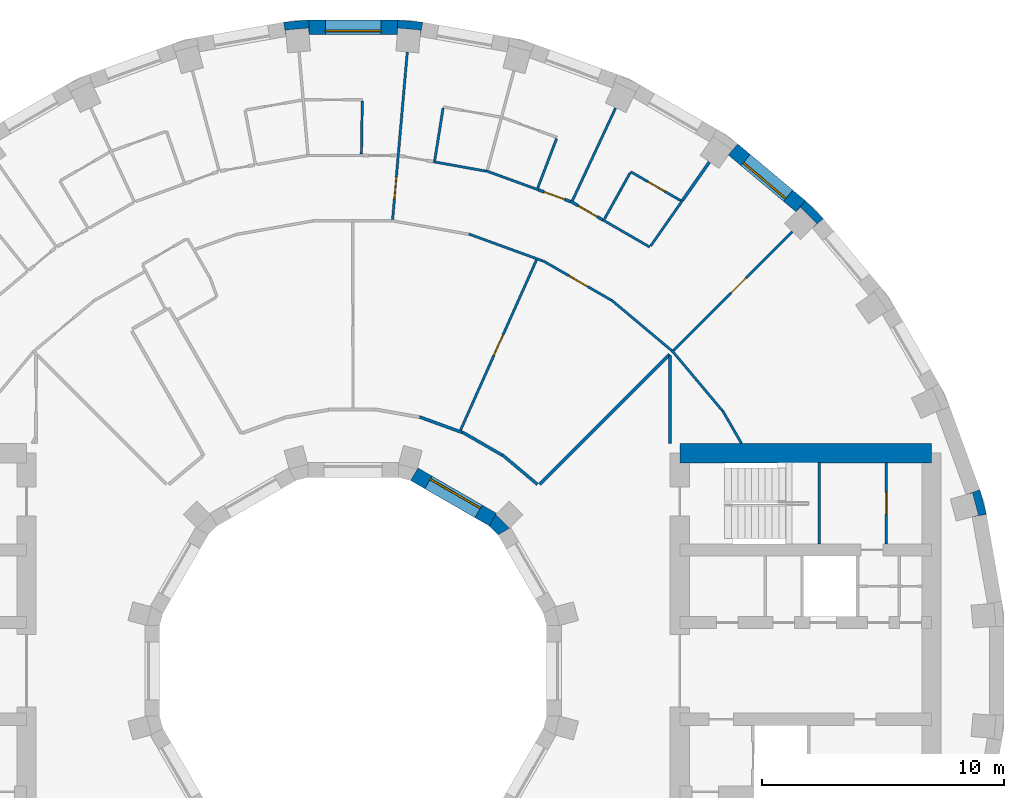
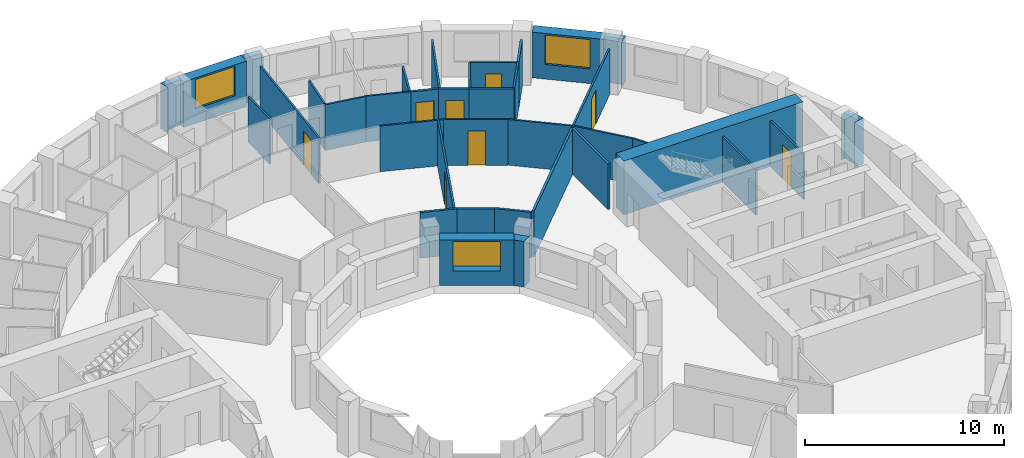
# One storey, part 10 of 12: 37 walls, 8 doors, 3 windows, 11 openings.
"""IFC4 building model written with IfcOpenShell, lengths in metres."""

from ifc_helpers import new_model, si_unit, direction, frame, frame_2d, origin, place, context, subcontext, project, spatial, polyline, rectangle, outline, extrude, material, layer, layer_set, type_object, element, fill, save


model = new_model("IFC4")

# Units and contexts
model_context = context("Model", 3, precision=1e-05, world=origin(), true_north=direction((0.0, 1.0)))
body_context = subcontext(model_context, "Body", "Model", "MODEL_VIEW")
ifc_project = project(units=[si_unit("LENGTHUNIT", "METRE"), si_unit("AREAUNIT", "SQUARE_METRE"), si_unit("VOLUMEUNIT", "CUBIC_METRE"), si_unit("PLANEANGLEUNIT", "RADIAN"), si_unit("MASSUNIT", "GRAM", prefix="KILO")], contexts=[model_context])

# Site, building, storey
site_placement = place(None, origin())
site = spatial("IfcSite", under=ifc_project, at=site_placement, CompositionType="ELEMENT")
building_placement = place(site_placement, origin())
building = spatial("IfcBuilding", under=site, at=building_placement, Name="Saqina Gate Tower", CompositionType="ELEMENT")
storey_placement = place(building_placement, frame((0.0, 0.0, 115.0)))
storey = spatial("IfcBuildingStorey", under=building, at=storey_placement, Name="L32", CompositionType="ELEMENT", Elevation=115.0)

# Walls
ifc_material_1 = material(Name="Brick masonry (buff)", Category="masonry")
wall_type_1 = type_object("IfcWallType", Name="BRICK PIER COPING BUFF", PredefinedType="SOLIDWALL", material=ifc_material_1)
wall_1_placement = place(storey_placement, origin())
element("IfcWall", 1, at=wall_1_placement, inside=storey, type_object=wall_type_1, Name="Pier cap L32 column 2", PredefinedType="SOLIDWALL", context=body_context, shape_type="SweptSolid", body=[
    extrude(outline(polyline([(26.171875, 6.466796875), (25.89892578125, 7.485595703125), (25.335205078125, 7.2802734375), (25.5947265625, 7.349853515625), (25.8408203125, 6.43212890625), (25.5810546875, 6.36279296875), (26.171875, 6.466796875)])), origin(), (0.0, 0.0, 1.0), 2.800048828125),
])
wall_2_placement = place(storey_placement, origin())
element("IfcWall", 2, at=wall_2_placement, inside=storey, type_object=wall_type_1, Name="Pier cap L32 column 5", PredefinedType="SOLIDWALL", context=body_context, shape_type="SweptSolid", body=[
    extrude(outline(polyline([(19.43212890625, 18.686279296875), (18.686279296875, 19.43212890625), (18.30078125, 18.972412109375), (18.49072265625, 19.16259765625), (19.16259765625, 18.49072265625), (18.972412109375, 18.30078125), (19.43212890625, 18.686279296875)])), origin(), (0.0, 0.0, 1.0), 2.800048828125),
])
wall_3_placement = place(storey_placement, origin())
element("IfcWall", 3, at=wall_3_placement, inside=storey, type_object=wall_type_1, Name="Pier cap L32 column 9", PredefinedType="SOLIDWALL", context=body_context, shape_type="SweptSolid", body=[
    extrude(outline(polyline([(2.87451171875, 26.805419921875), (1.823974609375, 26.897216796875), (1.823974609375, 26.29736328125), (1.847412109375, 26.565185546875), (2.793701171875, 26.482421875), (2.770263671875, 26.214599609375), (2.87451171875, 26.805419921875)])), origin(), (0.0, 0.0, 1.0), 2.800048828125),
])
wall_4_placement = place(storey_placement, origin())
element("IfcWall", 4, at=wall_4_placement, inside=storey, type_object=wall_type_1, Name="Pier cap L32 column 10", PredefinedType="SOLIDWALL", context=body_context, shape_type="SweptSolid", body=[
    extrude(outline(polyline([(-2.87451171875, 26.805419921875), (-2.770263671875, 26.214599609375), (-2.793701171875, 26.482421875), (-1.847412109375, 26.565185546875), (-1.823974609375, 26.29736328125), (-1.823974609375, 26.897216796875), (-2.87451171875, 26.805419921875)])), origin(), (0.0, 0.0, 1.0), 2.800048828125),
])

# Wall, opening, door
ifc_material_2 = material(Name="Gypsum board on steel studs", Category="steel")
ifc_layer_1 = layer(ifc_material_2, 0.10009765625)
ifc_layer_set_1 = layer_set([ifc_layer_1], Name="CORE PARTITION")
wall_type_2 = type_object("IfcWallType", Name="CORE PARTITION", PredefinedType="PARTITIONING", material=ifc_layer_set_1)
wall_5_placement = place(storey_placement, frame((22.037109375, 5.25, 0.0), z_axis=(0.0, 0.0, 1.0), x_axis=(0.0, 1.0, 0.0)))
wall_5 = element("IfcWall", 5, at=wall_5_placement, inside=storey, type_object=wall_type_2, Name="L32-CP-E11", PredefinedType="PARTITIONING", context=body_context, shape_type="SweptSolid", body=[
    extrude(rectangle(XDim=3.35009765625, YDim=0.10009765625, at=frame_2d((1.675048828125, 0.0))), origin(), (0.0, 0.0, 1.0), 2.800048828125),
])
opening_1_placement = place(wall_5_placement, frame((1.22509765625, 0.0, 0.0)))
opening_1 = element("IfcOpeningElement", 6, at=opening_1_placement, cuts=wall_5, Name="Opening G09-D98", PredefinedType="OPENING", context=body_context, shape_type="SweptSolid", body=[
    extrude(rectangle(XDim=0.89990234375, YDim=2.10009765625, at=frame_2d((0.449951171875, 1.050048828125))), frame((0.0, 0.06201171875, 0.0), z_axis=(0.0, -1.0, 0.0), x_axis=(1.0, 0.0, 0.0)), (0.0, 0.0, 1.0), 0.1240234375),
])
ifc_material_3 = material(Name="Steel-framed fire door leaf, EI 60", Category="steel")
door_type_1 = type_object("IfcDoorType", Name="SERVICE ROOM DOOR 900", OperationType="SINGLE_SWING_LEFT", PredefinedType="DOOR", material=ifc_material_3)
door_1_placement = place(opening_1_placement, origin())
door_1 = element("IfcDoor", 7, at=door_1_placement, inside=storey, type_object=door_type_1, Name="L32-CD-E09", OperationType="SINGLE_SWING_RIGHT", OverallHeight=2.10009765625, OverallWidth=0.89990234375, PredefinedType="DOOR", context=body_context, shape_type="SweptSolid", body=[
    extrude(rectangle(XDim=0.89990234375, YDim=2.10009765625, at=frame_2d((0.449951171875, 1.050048828125))), frame((0.0, 0.02490234375, 0.0), z_axis=(0.0, -1.0, 0.0), x_axis=(1.0, 0.0, 0.0)), (0.0, 0.0, 1.0), 0.050048828125),
])
fill(opening_1, door_1)

# Wall, opening, window
ifc_material_4 = material(Name="Brick masonry (buff)", Category="masonry")
ifc_layer_2 = layer(ifc_material_4, 0.60009765625)
ifc_layer_set_2 = layer_set([ifc_layer_2], Name="FW-BRICK-BUFF")
wall_type_3 = type_object("IfcWallType", Name="FW-BRICK-BUFF", PredefinedType="SOLIDWALL", material=ifc_layer_set_2)
wall_6_placement = place(storey_placement, frame((18.49365234375, 19.202392578125, 0.0), z_axis=(0.0, 0.0, 1.0), x_axis=(-0.766055462616, 0.642774476932, 0.0)))
wall_6 = element("IfcWall", 8, at=wall_6_placement, inside=storey, type_object=wall_type_3, Name="Facade wall L32 facet 5", PredefinedType="SOLIDWALL", context=body_context, shape_type="SweptSolid", body=[
    extrude(rectangle(XDim=3.647705078125, YDim=0.60009765625, at=frame_2d((1.82373046875, 0.0))), origin(), (0.0, 0.0, 1.0), 2.800048828125),
])
opening_2_placement = place(wall_6_placement, frame((0.673828125, 0.0, 0.89990234375)))
opening_2 = element("IfcOpeningElement", 9, at=opening_2_placement, cuts=wall_6, Name="Opening G09-W03", PredefinedType="OPENING", context=body_context, shape_type="SweptSolid", body=[
    extrude(rectangle(XDim=2.300048828125, YDim=1.800048828125, at=frame_2d((1.14990234375, 0.89990234375))), frame((0.0, 0.31201171875, 0.0), z_axis=(0.0, -1.0, 0.0), x_axis=(1.0, 0.0, 0.0)), (0.0, 0.0, 1.0), 0.6240234375),
])
ifc_material_5 = material(Name="Aluminium glazing", Category="aluminium")
window_type_1 = type_object("IfcWindowType", Name="WN-B", PartitioningType="SINGLE_PANEL", PredefinedType="WINDOW", material=ifc_material_5)
window_1_placement = place(opening_2_placement, origin())
window_1 = element("IfcWindow", 10, at=window_1_placement, inside=storey, type_object=window_type_1, Name="Window L32 facet 5", OverallHeight=1.800048828125, OverallWidth=2.300048828125, PartitioningType="SINGLE_PANEL", PredefinedType="WINDOW", context=body_context, shape_type="SweptSolid", body=[
    extrude(rectangle(XDim=2.300048828125, YDim=1.800048828125, at=frame_2d((1.14990234375, 0.89990234375))), frame((0.0, 0.179931640625, 0.0), z_axis=(0.0, -1.0, 0.0), x_axis=(1.0, 0.0, 0.0)), (0.0, 0.0, 1.0), 0.06005859375),
])
fill(opening_2, window_1)

wall_7_placement = place(storey_placement, frame((1.823974609375, 26.59716796875, 0.0), z_axis=(0.0, 0.0, 1.0), x_axis=(-1.0, 0.0, 0.0)))
wall_7 = element("IfcWall", 11, at=wall_7_placement, inside=storey, type_object=wall_type_3, Name="Facade wall L32 facet 9", PredefinedType="SOLIDWALL", context=body_context, shape_type="SweptSolid", body=[
    extrude(rectangle(XDim=3.64794921875, YDim=0.60009765625, at=frame_2d((1.823974609375, 0.0))), origin(), (0.0, 0.0, 1.0), 2.800048828125),
])
opening_3_placement = place(wall_7_placement, frame((0.673828125, 0.0, 0.89990234375)))
opening_3 = element("IfcOpeningElement", 12, at=opening_3_placement, cuts=wall_7, Name="Opening G09-W07", PredefinedType="OPENING", context=body_context, shape_type="SweptSolid", body=[
    extrude(rectangle(XDim=2.300048828125, YDim=1.800048828125, at=frame_2d((1.14990234375, 0.89990234375))), frame((0.0, 0.31201171875, 0.0), z_axis=(0.0, -1.0, 0.0), x_axis=(1.0, 0.0, 0.0)), (0.0, 0.0, 1.0), 0.6240234375),
])
window_2_placement = place(opening_3_placement, origin())
window_2 = element("IfcWindow", 13, at=window_2_placement, inside=storey, type_object=window_type_1, Name="Window L32 facet 9", OverallHeight=1.800048828125, OverallWidth=2.300048828125, PartitioningType="SINGLE_PANEL", PredefinedType="WINDOW", context=body_context, shape_type="SweptSolid", body=[
    extrude(rectangle(XDim=2.300048828125, YDim=1.800048828125, at=frame_2d((1.14990234375, 0.89990234375))), frame((0.0, 0.179931640625, 0.0), z_axis=(0.0, -1.0, 0.0), x_axis=(1.0, 0.0, 0.0)), (0.0, 0.0, 1.0), 0.06005859375),
])
fill(opening_3, window_2)

ifc_material_6 = material(Name="Glazed ceramic tile", Category="ceramic")
ifc_layer_3 = layer(ifc_material_6, 0.60009765625)
ifc_layer_set_3 = layer_set([ifc_layer_3], Name="IW-TILE")
wall_type_4 = type_object("IfcWallType", Name="IW-TILE", PredefinedType="SOLIDWALL", material=ifc_layer_set_3)
wall_8_placement = place(storey_placement, frame((5.772705078125, 6.251220703125, 0.0), z_axis=(0.0, 0.0, 1.0), x_axis=(-0.86604563398, 0.499964958637, 0.0)))
wall_8 = element("IfcWall", 14, at=wall_8_placement, inside=storey, type_object=wall_type_4, Name="Well wall L32 facet 2", PredefinedType="SOLIDWALL", context=body_context, shape_type="SweptSolid", body=[
    extrude(rectangle(XDim=3.747314453125, YDim=0.60009765625, at=frame_2d((1.87353515625, 0.0))), origin(), (0.0, 0.0, 1.0), 2.800048828125),
])
opening_4_placement = place(wall_8_placement, frame((0.673583984375, 0.0, 0.89990234375)))
opening_4 = element("IfcOpeningElement", 15, at=opening_4_placement, cuts=wall_8, Name="Opening G09-W27", PredefinedType="OPENING", context=body_context, shape_type="SweptSolid", body=[
    extrude(rectangle(XDim=2.39990234375, YDim=1.800048828125, at=frame_2d((1.199951171875, 0.89990234375))), frame((0.0, 0.31201171875, 0.0), z_axis=(0.0, -1.0, 0.0), x_axis=(1.0, 0.0, 0.0)), (0.0, 0.0, 1.0), 0.6240234375),
])
ifc_material_7 = material(Name="Aluminium glazing", Category="aluminium")
window_type_2 = type_object("IfcWindowType", Name="WN-W", PartitioningType="SINGLE_PANEL", PredefinedType="WINDOW", material=ifc_material_7)
window_3_placement = place(opening_4_placement, origin())
window_3 = element("IfcWindow", 16, at=window_3_placement, inside=storey, type_object=window_type_2, Name="Well window L32 facet 2", OverallHeight=1.800048828125, OverallWidth=2.39990234375, PartitioningType="SINGLE_PANEL", PredefinedType="WINDOW", context=body_context, shape_type="SweptSolid", body=[
    extrude(rectangle(XDim=2.39990234375, YDim=1.800048828125, at=frame_2d((1.199951171875, 0.89990234375))), frame((0.0, -0.119873046875, 0.0), z_axis=(0.0, -1.0, 0.0), x_axis=(1.0, 0.0, 0.0)), (0.0, 0.0, 1.0), 0.06005859375),
])
fill(opening_4, window_3)

# Walls
ifc_material_8 = material(Name="Gypsum board on steel studs, 100 mm", Category="steel")
ifc_layer_4 = layer(ifc_material_8, 0.10009765625)
ifc_layer_set_4 = layer_set([ifc_layer_4], Name="PARTITION 100")
wall_type_5 = type_object("IfcWallType", Name="PARTITION 100", PredefinedType="PARTITIONING", material=ifc_layer_set_4)
wall_9_placement = place(storey_placement, frame((15.2685546875, 10.7529296875, 0.0), z_axis=(0.0, 0.0, 1.0), x_axis=(0.499614353746, -0.866247942296, 0.0)))
element("IfcWall", 17, at=wall_9_placement, inside=storey, type_object=wall_type_5, Name="PARTITION PW3-14", PredefinedType="PARTITIONING", context=body_context, shape_type="SweptSolid", body=[
    extrude(rectangle(XDim=1.564208984375, YDim=0.10009765625, at=frame_2d((0.7822265625, 0.0))), origin(), (0.0, 0.0, 1.0), 2.800048828125),
])
for number, where, z_axis, x_axis, name in (
    (18, (13.16943359375, 13.240966796875, 0.0), (0.0, 0.0, 1.0), (0.642806814248, -0.766028328168, 0.0), "PARTITION PW3-22"),
    (19, (10.670166015625, 15.32666015625, 0.0), (0.0, 0.0, 1.0), (0.766028328168, -0.642806814248, 0.0), "PARTITION PW3-27"),
):
    element("IfcWall", number, at=place(storey_placement, frame(where, z_axis=z_axis, x_axis=x_axis)), inside=storey, type_object=wall_type_5, Name=name, PredefinedType="PARTITIONING", context=body_context, shape_type="SweptSolid", body=[
        extrude(rectangle(XDim=3.25537109375, YDim=0.10009765625, at=frame_2d((1.627685546875, 0.0))), origin(), (0.0, 0.0, 1.0), 2.800048828125),
    ])

# Wall, opening, door
wall_10_placement = place(storey_placement, frame((7.845947265625, 16.9462890625, 0.0), z_axis=(0.0, 0.0, 1.0), x_axis=(0.866135643811, -0.499809010043, 0.0)))
wall_10 = element("IfcWall", 20, at=wall_10_placement, inside=storey, type_object=wall_type_5, Name="PARTITION PW3-34", PredefinedType="PARTITIONING", context=body_context, shape_type="SweptSolid", body=[
    extrude(rectangle(XDim=3.255615234375, YDim=0.10009765625, at=frame_2d((1.6279296875, 0.0))), origin(), (0.0, 0.0, 1.0), 2.800048828125),
])
opening_5_placement = place(wall_10_placement, frame((1.228271484375, 0.0, 0.0)))
opening_5 = element("IfcOpeningElement", 21, at=opening_5_placement, cuts=wall_10, Name="Opening G09-D03", PredefinedType="OPENING", context=body_context, shape_type="SweptSolid", body=[
    extrude(rectangle(XDim=0.89990234375, YDim=2.10009765625, at=frame_2d((0.449951171875, 1.050048828125))), frame((0.0, 0.06201171875, 0.0), z_axis=(0.0, -1.0, 0.0), x_axis=(1.0, 0.0, 0.0)), (0.0, 0.0, 1.0), 0.1240234375),
])
ifc_material_9 = material(Name="Timber door leaf, 900 mm", Category="wood")
door_type_2 = type_object("IfcDoorType", Name="DOOR 900 TIMBER", OperationType="SINGLE_SWING_LEFT", PredefinedType="DOOR", material=ifc_material_9)
door_2_placement = place(opening_5_placement, origin())
door_2 = element("IfcDoor", 22, at=door_2_placement, inside=storey, type_object=door_type_2, Name="DOOR G09-D03", OperationType="SINGLE_SWING_RIGHT", OverallHeight=2.10009765625, OverallWidth=0.89990234375, PredefinedType="DOOR", context=body_context, shape_type="SweptSolid", body=[
    extrude(rectangle(XDim=0.89990234375, YDim=2.10009765625, at=frame_2d((0.449951171875, 1.050048828125))), frame((0.0, 0.02490234375, 0.0), z_axis=(0.0, -1.0, 0.0), x_axis=(1.0, 0.0, 0.0)), (0.0, 0.0, 1.0), 0.050048828125),
])
fill(opening_5, door_2)

# Wall
wall_11_placement = place(storey_placement, frame((10.309814453125, 18.639892578125, 0.0), z_axis=(0.0, 0.0, 1.0), x_axis=(0.865856719536, -0.500292055938, 0.0)))
element("IfcWall", 23, at=wall_11_placement, inside=storey, type_object=wall_type_5, Name="PARTITION PW3-35", PredefinedType="PARTITIONING", context=body_context, shape_type="SweptSolid", body=[
    extrude(rectangle(XDim=2.250732421875, YDim=0.10009765625, at=frame_2d((1.12548828125, 0.0))), origin(), (0.0, 0.0, 1.0), 2.800048828125),
])

# Wall, opening, door
wall_12_placement = place(storey_placement, frame((11.470947265625, 20.625, 0.0), z_axis=(0.0, 0.0, 1.0), x_axis=(0.866161784063, -0.499763707994, 0.0)))
wall_12 = element("IfcWall", 24, at=wall_12_placement, inside=storey, type_object=wall_type_5, Name="PARTITION PW3-36", PredefinedType="PARTITIONING", context=body_context, shape_type="SweptSolid", body=[
    extrude(rectangle(XDim=2.390869140625, YDim=0.10009765625, at=frame_2d((1.1953125, 0.0))), origin(), (0.0, 0.0, 1.0), 2.800048828125),
])
opening_6_placement = place(wall_12_placement, frame((0.821533203125, 0.0, 0.0)))
opening_6 = element("IfcOpeningElement", 25, at=opening_6_placement, cuts=wall_12, Name="Opening G09-D02", PredefinedType="OPENING", context=body_context, shape_type="SweptSolid", body=[
    extrude(rectangle(XDim=0.800048828125, YDim=2.10009765625, at=frame_2d((0.39990234375, 1.050048828125))), frame((0.0, 0.06201171875, 0.0), z_axis=(0.0, -1.0, 0.0), x_axis=(1.0, 0.0, 0.0)), (0.0, 0.0, 1.0), 0.1240234375),
])
ifc_material_10 = material(Name="Timber door leaf, 800 mm", Category="wood")
door_type_3 = type_object("IfcDoorType", Name="DOOR 800 TIMBER", OperationType="SINGLE_SWING_LEFT", PredefinedType="DOOR", material=ifc_material_10)
door_3_placement = place(opening_6_placement, origin())
door_3 = element("IfcDoor", 26, at=door_3_placement, inside=storey, type_object=door_type_3, Name="DOOR G09-D02", OperationType="SINGLE_SWING_RIGHT", OverallHeight=2.10009765625, OverallWidth=0.800048828125, PredefinedType="DOOR", context=body_context, shape_type="SweptSolid", body=[
    extrude(rectangle(XDim=0.800048828125, YDim=2.10009765625, at=frame_2d((0.39990234375, 1.050048828125))), frame((0.0, 0.02490234375, 0.0), z_axis=(0.0, -1.0, 0.0), x_axis=(1.0, 0.0, 0.0)), (0.0, 0.0, 1.0), 0.050048828125),
])
fill(opening_6, door_3)

# Walls
wall_13_placement = place(storey_placement, frame((4.7841796875, 18.05126953125, 0.0), z_axis=(0.0, 0.0, 1.0), x_axis=(0.939697033511, -0.34200801922, 0.0)))
element("IfcWall", 27, at=wall_13_placement, inside=storey, type_object=wall_type_5, Name="PARTITION PW3-41", PredefinedType="PARTITIONING", context=body_context, shape_type="SweptSolid", body=[
    extrude(rectangle(XDim=3.255126953125, YDim=0.10009765625, at=frame_2d((1.62744140625, 0.0))), origin(), (0.0, 0.0, 1.0), 2.800048828125),
])
wall_14_placement = place(storey_placement, frame((5.4853515625, 20.667236328125, 0.0), z_axis=(0.0, 0.0, 1.0), x_axis=(0.939734670151, -0.34190459154, 0.0)))
element("IfcWall", 28, at=wall_14_placement, inside=storey, type_object=wall_type_5, Name="PARTITION PW3-42", PredefinedType="PARTITIONING", context=body_context, shape_type="SweptSolid", body=[
    extrude(rectangle(XDim=2.3056640625, YDim=0.10009765625, at=frame_2d((1.15283203125, 0.0))), origin(), (0.0, 0.0, 1.0), 2.800048828125),
])
wall_15_placement = place(storey_placement, frame((3.312744140625, 21.041748046875, 0.0), z_axis=(0.0, 0.0, 1.0), x_axis=(0.984157440959, -0.17729673264, 0.0)))
element("IfcWall", 29, at=wall_15_placement, inside=storey, type_object=wall_type_5, Name="PARTITION PW3-44", PredefinedType="PARTITIONING", context=body_context, shape_type="SweptSolid", body=[
    extrude(rectangle(XDim=2.20458984375, YDim=0.10009765625, at=frame_2d((1.102294921875, 0.0))), origin(), (0.0, 0.0, 1.0), 2.800048828125),
])

# Wall, opening, door
wall_16_placement = place(storey_placement, frame((13.2373046875, 13.2373046875, 0.0), z_axis=(0.0, 0.0, 1.0), x_axis=(0.707106781187, 0.707106781187, 0.0)))
wall_16 = element("IfcWall", 30, at=wall_16_placement, inside=storey, type_object=wall_type_5, Name="PARTITION PW3-78", PredefinedType="PARTITIONING", context=body_context, shape_type="SweptSolid", body=[
    extrude(rectangle(XDim=6.944580078125, YDim=0.10009765625, at=frame_2d((3.47216796875, 0.0))), origin(), (0.0, 0.0, 1.0), 2.800048828125),
])
opening_7_placement = place(wall_16_placement, frame((3.3642578125, 0.0, 0.0)))
opening_7 = element("IfcOpeningElement", 31, at=opening_7_placement, cuts=wall_16, Name="Opening G09-D01", PredefinedType="OPENING", context=body_context, shape_type="SweptSolid", body=[
    extrude(rectangle(XDim=0.89990234375, YDim=2.10009765625, at=frame_2d((0.449951171875, 1.050048828125))), frame((0.0, 0.06201171875, 0.0), z_axis=(0.0, -1.0, 0.0), x_axis=(1.0, 0.0, 0.0)), (0.0, 0.0, 1.0), 0.1240234375),
])
door_4_placement = place(opening_7_placement, frame((0.89990234375, 0.0, 0.0), z_axis=(0.0, 0.0, 1.0), x_axis=(-1.0, 0.0, 0.0)))
door_4 = element("IfcDoor", 32, at=door_4_placement, inside=storey, type_object=door_type_2, Name="DOOR G09-D01", OperationType="SINGLE_SWING_LEFT", OverallHeight=2.10009765625, OverallWidth=0.89990234375, PredefinedType="DOOR", context=body_context, shape_type="SweptSolid", body=[
    extrude(rectangle(XDim=0.89990234375, YDim=2.10009765625, at=frame_2d((0.449951171875, 1.050048828125))), frame((0.0, 0.02490234375, 0.0), z_axis=(0.0, -1.0, 0.0), x_axis=(1.0, 0.0, 0.0)), (0.0, 0.0, 1.0), 0.050048828125),
])
fill(opening_7, door_4)

# Walls
wall_17_placement = place(storey_placement, frame((12.290771484375, 17.552978515625, 0.0), z_axis=(0.0, 0.0, 1.0), x_axis=(0.573582946976, 0.819147485462, 0.0)))
element("IfcWall", 33, at=wall_17_placement, inside=storey, type_object=wall_type_5, Name="PARTITION PW3-84", PredefinedType="PARTITIONING", context=body_context, shape_type="SweptSolid", body=[
    extrude(rectangle(XDim=2.3095703125, YDim=0.10009765625, at=frame_2d((1.15478515625, 0.0))), origin(), (0.0, 0.0, 1.0), 2.800048828125),
])
wall_18_placement = place(storey_placement, frame((10.38330078125, 18.669677734375, 0.0), z_axis=(0.0, 0.0, 1.0), x_axis=(0.486154549708, 0.873872847615, 0.0)))
element("IfcWall", 34, at=wall_18_placement, inside=storey, type_object=wall_type_5, Name="PARTITION PW3-92", PredefinedType="PARTITIONING", context=body_context, shape_type="SweptSolid", body=[
    extrude(rectangle(XDim=2.1875, YDim=0.10009765625, at=frame_2d((1.09375, 0.0))), origin(), (0.0, 0.0, 1.0), 2.800048828125),
])
wall_19_placement = place(storey_placement, frame((9.0615234375, 19.4326171875, 0.0), z_axis=(0.0, 0.0, 1.0), x_axis=(0.422606972268, 0.906313051319, 0.0)))
element("IfcWall", 35, at=wall_19_placement, inside=storey, type_object=wall_type_5, Name="PARTITION PW3-94", PredefinedType="PARTITIONING", context=body_context, shape_type="SweptSolid", body=[
    extrude(rectangle(XDim=4.2236328125, YDim=0.10009765625, at=frame_2d((2.11181640625, 0.0))), origin(), (0.0, 0.0, 1.0), 2.800048828125),
])

# Wall, opening, door
wall_20_placement = place(storey_placement, frame((4.437255859375, 9.945068359375, 0.0), z_axis=(0.0, 0.0, 1.0), x_axis=(0.407452204653, 0.913226533191, 0.0)))
wall_20 = element("IfcWall", 36, at=wall_20_placement, inside=storey, type_object=wall_type_5, Name="PARTITION PW3-95", PredefinedType="PARTITIONING", context=body_context, shape_type="SweptSolid", body=[
    extrude(rectangle(XDim=7.705078125, YDim=0.10009765625, at=frame_2d((3.8525390625, 0.0))), origin(), (0.0, 0.0, 1.0), 2.800048828125),
])
opening_8_placement = place(wall_20_placement, frame((3.395263671875, 0.0, 0.0)))
opening_8 = element("IfcOpeningElement", 37, at=opening_8_placement, cuts=wall_20, Name="Opening G09-D05", PredefinedType="OPENING", context=body_context, shape_type="SweptSolid", body=[
    extrude(rectangle(XDim=0.89990234375, YDim=2.10009765625, at=frame_2d((0.449951171875, 1.050048828125))), frame((0.0, 0.06201171875, 0.0), z_axis=(0.0, -1.0, 0.0), x_axis=(1.0, 0.0, 0.0)), (0.0, 0.0, 1.0), 0.1240234375),
])
door_5_placement = place(opening_8_placement, frame((0.89990234375, 0.0, 0.0), z_axis=(0.0, 0.0, 1.0), x_axis=(-1.0, 0.0, 0.0)))
door_5 = element("IfcDoor", 38, at=door_5_placement, inside=storey, type_object=door_type_2, Name="DOOR G09-D05", OperationType="SINGLE_SWING_RIGHT", OverallHeight=2.10009765625, OverallWidth=0.89990234375, PredefinedType="DOOR", context=body_context, shape_type="SweptSolid", body=[
    extrude(rectangle(XDim=0.89990234375, YDim=2.10009765625, at=frame_2d((0.449951171875, 1.050048828125))), frame((0.0, 0.02490234375, 0.0), z_axis=(0.0, -1.0, 0.0), x_axis=(1.0, 0.0, 0.0)), (0.0, 0.0, 1.0), 0.050048828125),
])
fill(opening_8, door_5)

# Walls
wall_21_placement = place(storey_placement, frame((7.627197265625, 19.954345703125, 0.0), z_axis=(0.0, 0.0, 1.0), x_axis=(0.356937039246, 0.934128444067, 0.0)))
element("IfcWall", 39, at=wall_21_placement, inside=storey, type_object=wall_type_5, Name="PARTITION PW3-97", PredefinedType="PARTITIONING", context=body_context, shape_type="SweptSolid", body=[
    extrude(rectangle(XDim=2.18798828125, YDim=0.10009765625, at=frame_2d((1.093994140625, 0.0))), origin(), (0.0, 0.0, 1.0), 2.800048828125),
])
wall_22_placement = place(storey_placement, frame((3.371826171875, 21.0947265625, 0.0), z_axis=(0.0, 0.0, 1.0), x_axis=(0.157825077305, 0.987467085514, 0.0)))
element("IfcWall", 40, at=wall_22_placement, inside=storey, type_object=wall_type_5, Name="PARTITION PW3-102", PredefinedType="PARTITIONING", context=body_context, shape_type="SweptSolid", body=[
    extrude(rectangle(XDim=2.187255859375, YDim=0.10009765625, at=frame_2d((1.09375, 0.0))), origin(), (0.0, 0.0, 1.0), 2.800048828125),
])

# Wall, opening, door
wall_23_placement = place(storey_placement, frame((1.631103515625, 18.64892578125, 0.0), z_axis=(0.0, 0.0, 1.0), x_axis=(0.087251550035, 0.996186311398, 0.0)))
wall_23 = element("IfcWall", 41, at=wall_23_placement, inside=storey, type_object=wall_type_5, Name="PARTITION PW3-104", PredefinedType="PARTITIONING", context=body_context, shape_type="SweptSolid", body=[
    extrude(rectangle(XDim=6.94482421875, YDim=0.10009765625, at=frame_2d((3.472412109375, 0.0))), origin(), (0.0, 0.0, 1.0), 2.800048828125),
])
opening_9_placement = place(wall_23_placement, frame((0.854248046875, 0.0, 0.0)))
opening_9 = element("IfcOpeningElement", 42, at=opening_9_placement, cuts=wall_23, Name="Opening G09-D10", PredefinedType="OPENING", context=body_context, shape_type="SweptSolid", body=[
    extrude(rectangle(XDim=0.89990234375, YDim=2.10009765625, at=frame_2d((0.449951171875, 1.050048828125))), frame((0.0, 0.06201171875, 0.0), z_axis=(0.0, -1.0, 0.0), x_axis=(1.0, 0.0, 0.0)), (0.0, 0.0, 1.0), 0.1240234375),
])
door_6_placement = place(opening_9_placement, origin())
door_6 = element("IfcDoor", 43, at=door_6_placement, inside=storey, type_object=door_type_2, Name="DOOR G09-D10", OperationType="SINGLE_SWING_LEFT", OverallHeight=2.10009765625, OverallWidth=0.89990234375, PredefinedType="DOOR", context=body_context, shape_type="SweptSolid", body=[
    extrude(rectangle(XDim=0.89990234375, YDim=2.10009765625, at=frame_2d((0.449951171875, 1.050048828125))), frame((0.0, 0.02490234375, 0.0), z_axis=(0.0, -1.0, 0.0), x_axis=(1.0, 0.0, 0.0)), (0.0, 0.0, 1.0), 0.050048828125),
])
fill(opening_9, door_6)

# Walls
wall_24_placement = place(storey_placement, frame((0.342041015625, 21.359375, 0.0), z_axis=(0.0, 0.0, 1.0), x_axis=(0.016067560631, 0.999870908415, 0.0)))
element("IfcWall", 44, at=wall_24_placement, inside=storey, type_object=wall_type_5, Name="PARTITION PW3-107", PredefinedType="PARTITIONING", context=body_context, shape_type="SweptSolid", body=[
    extrude(rectangle(XDim=2.18798828125, YDim=0.10009765625, at=frame_2d((1.093994140625, 0.0))), origin(), (0.0, 0.0, 1.0), 2.800048828125),
])
ifc_material_11 = material(Name="Gypsum board on steel studs, 125 mm, fire rated", Category="steel")
ifc_layer_5 = layer(ifc_material_11, 0.125)
ifc_layer_set_5 = layer_set([ifc_layer_5], Name="PARTITION EI 30 125")
wall_type_6 = type_object("IfcWallType", Name="PARTITION EI 30 125", PredefinedType="PARTITIONING", material=ifc_layer_set_5)
wall_25_placement = place(storey_placement, frame((6.16943359375, 8.921630859375, 0.0), z_axis=(0.0, 0.0, 1.0), x_axis=(0.766048022013, -0.642783344503, 0.0)))
element("IfcWall", 45, at=wall_25_placement, inside=storey, type_object=wall_type_6, Name="PARTITION PW1-10", PredefinedType="PARTITIONING", context=body_context, shape_type="SweptSolid", body=[
    extrude(rectangle(XDim=1.8916015625, YDim=0.125, at=frame_2d((0.94580078125, 0.0))), origin(), (0.0, 0.0, 1.0), 2.800048828125),
])
wall_26_placement = place(storey_placement, frame((4.527099609375, 9.857666015625, 0.0), z_axis=(0.0, 0.0, 1.0), x_axis=(0.86592101019, -0.500180771434, 0.0)))
element("IfcWall", 46, at=wall_26_placement, inside=storey, type_object=wall_type_6, Name="PARTITION PW1-13", PredefinedType="PARTITIONING", context=body_context, shape_type="SweptSolid", body=[
    extrude(rectangle(XDim=1.890380859375, YDim=0.125, at=frame_2d((0.9453125, 0.0))), origin(), (0.0, 0.0, 1.0), 2.800048828125),
])

# Wall, opening, door
wall_27_placement = place(storey_placement, frame((8.97998046875, 19.40771484375, 0.0), z_axis=(0.0, 0.0, 1.0), x_axis=(0.866013487713, -0.500020638674, 0.0)))
wall_27 = element("IfcWall", 47, at=wall_27_placement, inside=storey, type_object=wall_type_6, Name="PARTITION PW1-14", PredefinedType="PARTITIONING", context=body_context, shape_type="SweptSolid", body=[
    extrude(rectangle(XDim=1.53564453125, YDim=0.125, at=frame_2d((0.767822265625, 0.0))), origin(), (0.0, 0.0, 1.0), 2.800048828125),
])
opening_10_placement = place(wall_27_placement, frame((0.37451171875, 0.0, 0.0)))
opening_10 = element("IfcOpeningElement", 48, at=opening_10_placement, cuts=wall_27, Name="Opening G09-D04", PredefinedType="OPENING", context=body_context, shape_type="SweptSolid", body=[
    extrude(rectangle(XDim=0.89990234375, YDim=2.10009765625, at=frame_2d((0.449951171875, 1.050048828125))), frame((0.0, 0.074462890625, 0.0), z_axis=(0.0, -1.0, 0.0), x_axis=(1.0, 0.0, 0.0)), (0.0, 0.0, 1.0), 0.14892578125),
])
ifc_material_12 = material(Name="Fire door leaf EI 30, 900 mm")
door_type_4 = type_object("IfcDoorType", Name="DOOR 900 EI 30", OperationType="SINGLE_SWING_LEFT", PredefinedType="DOOR", material=ifc_material_12)
door_7_placement = place(opening_10_placement, frame((0.89990234375, 0.0, 0.0), z_axis=(0.0, 0.0, 1.0), x_axis=(-1.0, 0.0, 0.0)))
door_7 = element("IfcDoor", 49, at=door_7_placement, inside=storey, type_object=door_type_4, Name="DOOR G09-D04", OperationType="SINGLE_SWING_RIGHT", OverallHeight=2.10009765625, OverallWidth=0.89990234375, PredefinedType="DOOR", context=body_context, shape_type="SweptSolid", body=[
    extrude(rectangle(XDim=0.89990234375, YDim=2.10009765625, at=frame_2d((0.449951171875, 1.050048828125))), frame((0.0, 0.02490234375, 0.0), z_axis=(0.0, -1.0, 0.0), x_axis=(1.0, 0.0, 0.0)), (0.0, 0.0, 1.0), 0.050048828125),
])
fill(opening_10, door_7)

# Wall
wall_28_placement = place(storey_placement, frame((2.74609375, 10.49169921875, 0.0), z_axis=(0.0, 0.0, 1.0), x_axis=(0.939744390825, -0.341877872803, 0.0)))
element("IfcWall", 50, at=wall_28_placement, inside=storey, type_object=wall_type_6, Name="PARTITION PW1-17", PredefinedType="PARTITIONING", context=body_context, shape_type="SweptSolid", body=[
    extrude(rectangle(XDim=1.890380859375, YDim=0.125, at=frame_2d((0.9453125, 0.0))), origin(), (0.0, 0.0, 1.0), 2.800048828125),
])

# Wall, opening, door
wall_29_placement = place(storey_placement, frame((7.652099609375, 19.87890625, 0.0), z_axis=(0.0, 0.0, 1.0), x_axis=(0.939813657692, -0.341687413896, 0.0)))
wall_29 = element("IfcWall", 51, at=wall_29_placement, inside=storey, type_object=wall_type_6, Name="PARTITION PW1-18", PredefinedType="PARTITIONING", context=body_context, shape_type="SweptSolid", body=[
    extrude(rectangle(XDim=1.408935546875, YDim=0.125, at=frame_2d((0.70458984375, 0.0))), origin(), (0.0, 0.0, 1.0), 2.800048828125),
])
opening_11_placement = place(wall_29_placement, frame((0.2607421875, 0.0, 0.0)))
opening_11 = element("IfcOpeningElement", 52, at=opening_11_placement, cuts=wall_29, Name="Opening G09-D06", PredefinedType="OPENING", context=body_context, shape_type="SweptSolid", body=[
    extrude(rectangle(XDim=0.89990234375, YDim=2.10009765625, at=frame_2d((0.449951171875, 1.050048828125))), frame((0.0, 0.074462890625, 0.0), z_axis=(0.0, -1.0, 0.0), x_axis=(1.0, 0.0, 0.0)), (0.0, 0.0, 1.0), 0.14892578125),
])
door_8_placement = place(opening_11_placement, frame((0.89990234375, 0.0, 0.0), z_axis=(0.0, 0.0, 1.0), x_axis=(-1.0, 0.0, 0.0)))
door_8 = element("IfcDoor", 53, at=door_8_placement, inside=storey, type_object=door_type_4, Name="DOOR G09-D06", OperationType="SINGLE_SWING_LEFT", OverallHeight=2.10009765625, OverallWidth=0.89990234375, PredefinedType="DOOR", context=body_context, shape_type="SweptSolid", body=[
    extrude(rectangle(XDim=0.89990234375, YDim=2.10009765625, at=frame_2d((0.449951171875, 1.050048828125))), frame((0.0, 0.02490234375, 0.0), z_axis=(0.0, -1.0, 0.0), x_axis=(1.0, 0.0, 0.0)), (0.0, 0.0, 1.0), 0.050048828125),
])
fill(opening_11, door_8)

# Walls
wall_30_placement = place(storey_placement, frame((7.710205078125, 7.710205078125, 0.0), z_axis=(0.0, 0.0, 1.0), x_axis=(0.707106781187, 0.707106781187, 0.0)))
element("IfcWall", 54, at=wall_30_placement, inside=storey, type_object=wall_type_6, Name="PARTITION PW1-43", PredefinedType="PARTITIONING", context=body_context, shape_type="SweptSolid", body=[
    extrude(rectangle(XDim=7.586669921875, YDim=0.125, at=frame_2d((3.79345703125, 0.0))), origin(), (0.0, 0.0, 1.0), 2.800048828125),
])
wall_31_placement = place(storey_placement, frame((13.61376953125, 19.446044921875, 0.0), z_axis=(0.0, 0.0, 1.0), x_axis=(0.573470846205, 0.819225969164, 0.0)))
element("IfcWall", 55, at=wall_31_placement, inside=storey, type_object=wall_type_6, Name="PARTITION PW1-45", PredefinedType="PARTITIONING", context=body_context, shape_type="SweptSolid", body=[
    extrude(rectangle(XDim=1.92724609375, YDim=0.125, at=frame_2d((0.963623046875, 0.0))), origin(), (0.0, 0.0, 1.0), 2.800048828125),
])
wall_32_placement = place(storey_placement, frame((13.10009765625, 9.39794921875, 0.0), z_axis=(0.0, 0.0, 1.0), x_axis=(0.0, 1.0, 0.0)))
element("IfcWall", 56, at=wall_32_placement, inside=storey, type_object=wall_type_6, Name="PARTITION PW1-50", PredefinedType="PARTITIONING", context=body_context, shape_type="SweptSolid", body=[
    extrude(rectangle(XDim=3.638671875, YDim=0.125, at=frame_2d((1.8193359375, 0.0))), origin(), (0.0, 0.0, 1.0), 2.800048828125),
])
ifc_material_13 = material(Name="Autoclaved aerated concrete block", Category="concrete")
ifc_layer_6 = layer(ifc_material_13, 0.10009765625)
ifc_layer_set_6 = layer_set([ifc_layer_6], Name="STAIR ENCLOSURE WALL")
wall_type_7 = type_object("IfcWallType", Name="STAIR ENCLOSURE WALL", PredefinedType="PARTITIONING", material=ifc_layer_set_6)
wall_33_placement = place(storey_placement, frame((19.27001953125, 5.25, 0.0), z_axis=(0.0, 0.0, 1.0), x_axis=(0.0, 1.0, 0.0)))
element("IfcWall", 57, at=wall_33_placement, inside=storey, type_object=wall_type_7, Name="L32-CP-E10", PredefinedType="PARTITIONING", context=body_context, shape_type="SweptSolid", body=[
    extrude(rectangle(XDim=3.35009765625, YDim=0.10009765625, at=frame_2d((1.675048828125, 0.0))), origin(), (0.0, 0.0, 1.0), 2.800048828125),
])
ifc_material_14 = material(Name="Concrete C70/85", Category="concrete")
ifc_layer_7 = layer(ifc_material_14, 0.800048828125)
ifc_layer_set_7 = layer_set([ifc_layer_7], Name="Concrete C70/85")
wall_type_8 = type_object("IfcWallType", Name="STR-CORE WALL-B-O", PredefinedType="SHEAR", material=ifc_layer_set_7)
wall_34_placement = place(storey_placement, frame((13.5, 9.0, 0.0), z_axis=(0.0, 0.0, 1.0), x_axis=(1.0, 0.0, 0.0)))
element("IfcWall", 58, at=wall_34_placement, inside=storey, type_object=wall_type_8, Name="CORE WALL L32 E-NE", PredefinedType="SHEAR", context=body_context, shape_type="SweptSolid", body=[
    extrude(rectangle(XDim=10.39990234375, YDim=0.800048828125, at=frame_2d((5.199951171875, 0.0))), origin(), (0.0, 0.0, 1.0), 3.300048828125),
])
ifc_material_15 = material(Name="Glazed ceramic tile", Category="ceramic")
wall_type_9 = type_object("IfcWallType", Name="TILE PIER COPING", PredefinedType="SOLIDWALL", material=ifc_material_15)
wall_35_placement = place(storey_placement, origin())
element("IfcWall", 59, at=wall_35_placement, inside=storey, type_object=wall_type_9, Name="Well pier cap L32 column 2", PredefinedType="SOLIDWALL", context=body_context, shape_type="SweptSolid", body=[
    extrude(outline(polyline([(5.891845703125, 6.45751953125), (5.622802734375, 5.991455078125), (5.991455078125, 5.622802734375), (6.45751953125, 5.891845703125), (5.891845703125, 6.45751953125)])), origin(), (0.0, 0.0, 1.0), 2.800048828125),
])

save(model, "model.ifc")
